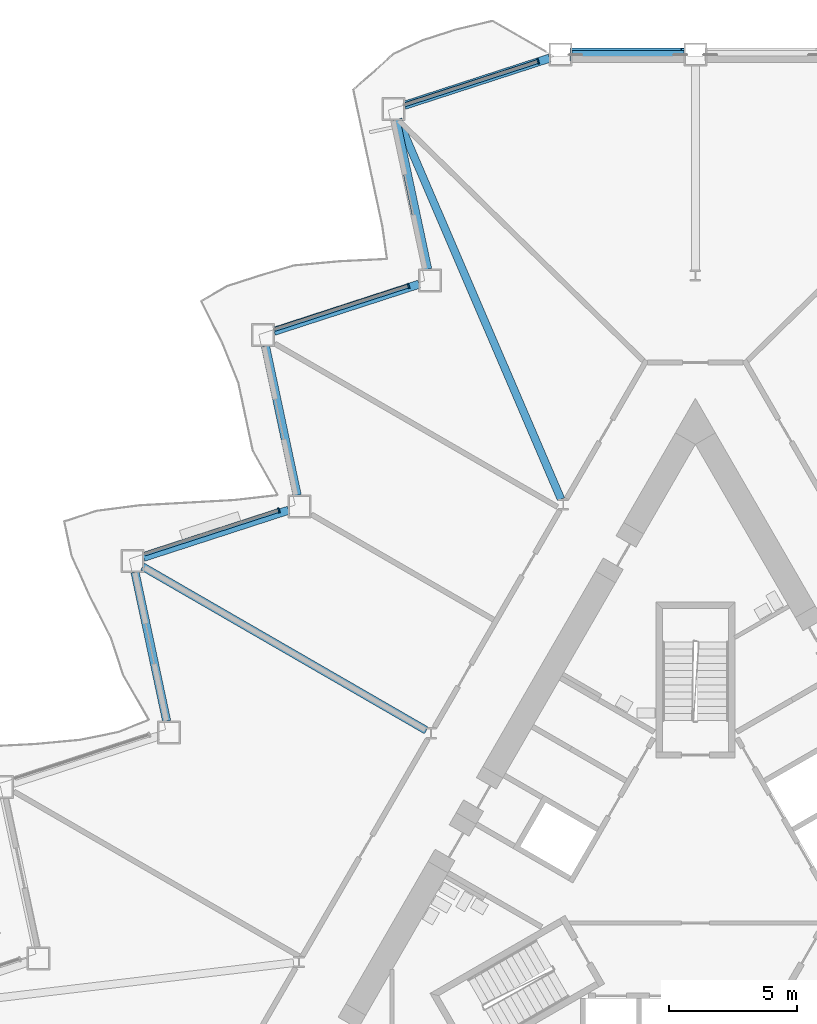
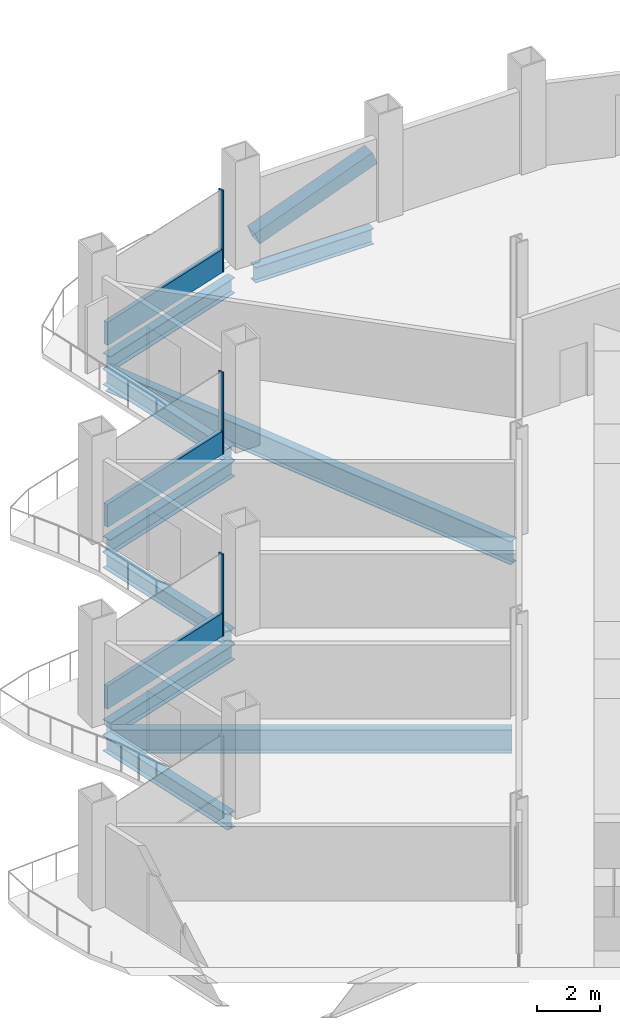
# One storey, part 7 of 21: 9 beams, 7 members, 3 elements without a shape of their own.
"""IFC4 building model written with IfcOpenShell, lengths in metres."""

import ifcopenshell
import ifcopenshell.guid

model = None  # the IFC model being written
_history = None  # IfcOwnerHistory: only IFC2X3 demands one
_inside = {}  # id of a spatial element -> (the spatial element, [elements in it])
_under = {}  # id of a project, library or spatial element -> (it, [spatial elements below it])
_declared = {}  # id of a project -> (the project, [libraries it declares])
_typed = {}  # id of a type object -> (the type object, [elements of that type])
_made_of = {}  # id of a material, layer set ... -> (it, [elements and type objects made of it])


def new_model(schema):
    """Start an empty IFC model of exactly this schema.

    Asked for "IFC4X3", IfcOpenShell would pick the latest addendum, in which some entities
    have other attributes; the version numbers below select the first issue.
    IFC2X3 requires an IfcOwnerHistory on every rooted entity: one is made here for all.
    """
    global model, _history
    if schema == "IFC4X3":
        model = ifcopenshell.file(schema_version=(4, 3, 0, 0))
    else:
        model = ifcopenshell.file(schema=schema)
    _inside.clear()
    _under.clear()
    _declared.clear()
    _typed.clear()
    _made_of.clear()
    _history = None
    if model.schema == "IFC2X3":
        org = make("IfcOrganization", Name="unknown")
        user = make(
            "IfcPersonAndOrganization",
            ThePerson=make("IfcPerson", FamilyName="unknown"),
            TheOrganization=org,
        )
        app = make(
            "IfcApplication",
            ApplicationDeveloper=org,
            Version="unknown",
            ApplicationFullName="unknown",
            ApplicationIdentifier="unknown",
        )
        _history = make(
            "IfcOwnerHistory",
            OwningUser=user,
            OwningApplication=app,
            ChangeAction="ADDED",
            CreationDate=0,
        )
    return model


def make(cls, **values):
    """One entity of the class cls with the attributes given. An attribute that is None is left unset."""
    return model.create_entity(
        cls, **{name: value for name, value in values.items() if value is not None}
    )


def rooted(cls, **values):
    """An entity with a GlobalId (a new one), such as an element, a storey or a relation."""
    return make(cls, GlobalId=ifcopenshell.guid.new(), OwnerHistory=_history, **values)


def si_unit(unit_type, name, prefix=None):
    """IfcSIUnit, for example si_unit("LENGTHUNIT", "METRE", prefix="MILLI")."""
    return make("IfcSIUnit", UnitType=unit_type, Prefix=prefix, Name=name)


def assignment(units):
    """IfcUnitAssignment: the units of a project."""
    return None if units is None else make("IfcUnitAssignment", Units=units)


def point(xyz):
    """IfcCartesianPoint."""
    return None if xyz is None else make("IfcCartesianPoint", Coordinates=xyz)


def direction(xyz):
    """IfcDirection."""
    return None if xyz is None else make("IfcDirection", DirectionRatios=xyz)


def frame(location, z_axis=None, x_axis=None):
    """IfcAxis2Placement3D, a coordinate frame: its origin and axes. An axis left out is left unset."""
    return make(
        "IfcAxis2Placement3D",
        Location=point(location),
        Axis=direction(z_axis),
        RefDirection=direction(x_axis),
    )


def frame_2d(location, x_axis=None):
    """IfcAxis2Placement2D, a coordinate frame in the plane: its origin and x axis."""
    return make(
        "IfcAxis2Placement2D", Location=point(location), RefDirection=direction(x_axis)
    )


def origin():
    """The frame at (0, 0, 0) with its axes left unset."""
    return frame((0.0, 0.0, 0.0))


def origin_2d():
    """The frame at (0, 0) in the plane with its x axis left unset."""
    return frame_2d((0.0, 0.0))


def place(relative_to, where):
    """IfcLocalPlacement: puts the frame where relative to a parent placement (None: the world)."""
    return make(
        "IfcLocalPlacement", PlacementRelTo=relative_to, RelativePlacement=where
    )


def context(
    kind, dimensions, precision=None, world=None, true_north=None, identifier=None
):
    """IfcGeometricRepresentationContext, for example the 3D "Model" context."""
    return make(
        "IfcGeometricRepresentationContext",
        ContextIdentifier=identifier,
        ContextType=kind,
        CoordinateSpaceDimension=dimensions,
        Precision=precision,
        WorldCoordinateSystem=world,
        TrueNorth=true_north,
    )


def subcontext(parent, identifier, kind, view, scale=None):
    """IfcGeometricRepresentationSubContext, for example "Body" below "Model"."""
    return make(
        "IfcGeometricRepresentationSubContext",
        ContextIdentifier=identifier,
        ContextType=kind,
        ParentContext=parent,
        TargetScale=scale,
        TargetView=view,
    )


def project(units=None, contexts=None):
    """IfcProject with its units and contexts."""
    return rooted(
        "IfcProject",
        Name="project",
        RepresentationContexts=contexts,
        UnitsInContext=assignment(units),
    )


def spatial(cls, under=None, at=None, **own):
    """A site, building, storey or space (cls), placed at a placement, below another one or the project."""
    s = rooted(cls, ObjectPlacement=at, **own)
    if under is not None:
        _under.setdefault(under.id(), (under, []))[1].append(s)
    return s


def profile(cls, at=None, kind="AREA", **sizes):
    """A parametric profile (cls). Its sizes go by their IFC names, for example OverallWidth=200.0."""
    return make(cls, ProfileType=kind, Position=at, **sizes)


def rectangle(**sizes):
    """IfcRectangleProfileDef."""
    return profile("IfcRectangleProfileDef", **sizes)


def hollow_rectangle(**sizes):
    """IfcRectangleHollowProfileDef."""
    return profile("IfcRectangleHollowProfileDef", **sizes)


def i_section(**sizes):
    """IfcIShapeProfileDef."""
    return profile("IfcIShapeProfileDef", **sizes)


def extrude(swept, where, along, depth):
    """IfcExtrudedAreaSolid: the profile swept, set in the frame where, extruded along a direction by depth."""
    return make(
        "IfcExtrudedAreaSolid",
        SweptArea=swept,
        Position=where,
        ExtrudedDirection=direction(along),
        Depth=depth,
    )


def shape(context_of_items, identifier, shape_type, items):
    """IfcShapeRepresentation: the items that make up one representation, for example the "Body"."""
    return make(
        "IfcShapeRepresentation",
        ContextOfItems=context_of_items,
        RepresentationIdentifier=identifier,
        RepresentationType=shape_type,
        Items=items,
    )


def material(Name=None, Category=None):
    """IfcMaterial."""
    return make("IfcMaterial", Name=Name, Category=Category)


def layer(
    of_material, thickness, ventilated=None, Name=None, Category=None, Priority=None
):
    """IfcMaterialLayer: one layer of a wall or slab, of a material (None: an air gap)."""
    return make(
        "IfcMaterialLayer",
        Material=of_material,
        LayerThickness=thickness,
        IsVentilated=ventilated,
        Name=Name,
        Category=Category,
        Priority=Priority,
    )


def layer_set(layers, Name=None):
    """IfcMaterialLayerSet."""
    return make("IfcMaterialLayerSet", MaterialLayers=layers, LayerSetName=Name)


def material_profile(
    of_material, cross_section, Name=None, Category=None, Priority=None
):
    """IfcMaterialProfile: a cross section and its material."""
    return make(
        "IfcMaterialProfile",
        Name=Name,
        Material=of_material,
        Profile=cross_section,
        Priority=Priority,
        Category=Category,
    )


def profile_set(profiles, Name=None, composite=None):
    """IfcMaterialProfileSet."""
    return make(
        "IfcMaterialProfileSet",
        Name=Name,
        MaterialProfiles=profiles,
        CompositeProfile=composite,
    )


def made_of(thing, what):
    """Note that an element or type object is made of a material, layer set ...; save() writes the relation."""
    if what is not None:
        _made_of.setdefault(what.id(), (what, []))[1].append(thing)
    return thing


def type_object(cls, material=None, **own):
    """A type object (cls), such as IfcWallType, which elements share."""
    return made_of(rooted(cls, **own), material)


def element(
    cls,
    number,
    at=None,
    inside=None,
    cuts=None,
    type_object=None,
    material=None,
    context=None,
    identifier="Body",
    shape_type=None,
    held_by="IfcProductDefinitionShape",
    body=None,
    shapes=None,
    **own,
):
    """One element of the class cls, such as IfcWall. Its Tag is "e" and its number.

    at: its placement. inside: the storey or other place that contains it. cuts: it is an
    opening in that element (IfcRelVoidsElement). A single representation is given by context,
    identifier, shape_type and body (its items); several are given by shapes. held_by: the class
    of the entity that holds the representations. save() writes the other relations.
    """
    e = rooted(cls, Tag="e%d" % number, ObjectPlacement=at, **own)
    if body is not None:
        shapes = [shape(context, identifier, shape_type, body)]
    if shapes is not None:
        e.Representation = make(held_by, Representations=shapes)
    if inside is not None:
        _inside.setdefault(inside.id(), (inside, []))[1].append(e)
    if cuts is not None:
        rooted(
            "IfcRelVoidsElement", RelatingBuildingElement=cuts, RelatedOpeningElement=e
        )
    if type_object is not None:
        _typed.setdefault(type_object.id(), (type_object, []))[1].append(e)
    return made_of(e, material)


def aggregate(whole, parts):
    """IfcRelAggregates: a whole, such as a stair, and the parts it consists of."""
    return rooted("IfcRelAggregates", RelatingObject=whole, RelatedObjects=parts)


def save(model, path):
    """Write the relations noted so far, then the file.

    IfcRelAggregates (storeys below a building ...), IfcRelContainedInSpatialStructure (elements
    in a storey), IfcRelDefinesByType, IfcRelAssociatesMaterial and IfcRelDeclares: one each for
    every whole, place, type object, material and project.
    """
    for whole, parts in _under.values():
        aggregate(whole, parts)
    for where, things in _inside.values():
        rooted(
            "IfcRelContainedInSpatialStructure",
            RelatedElements=things,
            RelatingStructure=where,
        )
    for kind, things in _typed.values():
        rooted("IfcRelDefinesByType", RelatedObjects=things, RelatingType=kind)
    for what, things in _made_of.values():
        rooted("IfcRelAssociatesMaterial", RelatedObjects=things, RelatingMaterial=what)
    for by, libraries in _declared.values():
        rooted("IfcRelDeclares", RelatingContext=by, RelatedDefinitions=libraries)
    model.write(path)


model = new_model("IFC4")

# Units and contexts
model_context = context("Model", 3, precision=1e-05, world=origin(), true_north=direction((0.0, 1.0)))
body_context = subcontext(model_context, "Body", "Model", "MODEL_VIEW")
ifc_project = project(units=[si_unit("LENGTHUNIT", "METRE"), si_unit("AREAUNIT", "SQUARE_METRE"), si_unit("VOLUMEUNIT", "CUBIC_METRE"), si_unit("PLANEANGLEUNIT", "RADIAN"), si_unit("MASSUNIT", "GRAM", prefix="KILO")], contexts=[model_context])

# Site, building, storey
site_placement = place(None, origin())
site = spatial("IfcSite", under=ifc_project, at=site_placement, CompositionType="ELEMENT")
building_placement = place(site_placement, origin())
building = spatial("IfcBuilding", under=site, at=building_placement, Name="Cormorant Prow Tower", CompositionType="ELEMENT")
storey_placement = place(building_placement, frame((0.0, 0.0, 141.60009765625)))
storey = spatial("IfcBuildingStorey", under=building, at=storey_placement, Name="L30", CompositionType="ELEMENT", Elevation=141.60009765625)

# Member
ifc_material_1 = material(Name="Structural steel ASTM A500 Gr C", Category="steel")
ifc_material_profile_1 = material_profile(ifc_material_1, hollow_rectangle(XDim=0.508056640625, YDim=0.508056640625, WallThickness=0.014892578125, at=origin_2d()), Name="HSS20x20x5/8")
ifc_profile_set_1 = profile_set([ifc_material_profile_1], Name="Structural steel ASTM A500 Gr C")
member_type_1 = type_object("IfcMemberType", Name="Chamfer brace HSS20x20x5/8", PredefinedType="BRACE", material=ifc_profile_set_1)
member_1_placement = place(storey_placement, frame((-4.8017578125, 32.487060546875, 0.7763671875), z_axis=(0.935564597435, 0.0, 0.3531556088), x_axis=(0.0, 1.0, 0.0)))
element("IfcMember", 1, at=member_1_placement, inside=storey, type_object=member_type_1, Name="Chamfer brace BR1 at N01 L30", PredefinedType="BRACE", context=body_context, shape_type="SweptSolid", body=[
    extrude(hollow_rectangle(XDim=0.508056640625, YDim=0.508056640625, WallThickness=0.014892578125, at=origin_2d()), origin(), (0.0, 0.0, 1.0), 4.632568359375),
])

# Curtain wall, member
ifc_material_2 = material(Name="Aluminium 6063-T6", Category="aluminium")
ifc_layer = layer(ifc_material_2, 0.199951171875)
ifc_layer_set = layer_set([ifc_layer], Name="Aluminium 6063-T6")
curtain_wall_type = type_object("IfcCurtainWallType", Name="Office unitised curtain wall 200", PredefinedType="NOTDEFINED", material=ifc_layer_set)
curtain_wall_1_placement = place(storey_placement, origin())
curtain_wall_1 = element("IfcCurtainWall", 2, at=curtain_wall_1_placement, inside=storey, type_object=curtain_wall_type, Name="Office curtain wall WNW00", PredefinedType="NOTDEFINED")
ifc_material_3 = material(Name="Aluminium 6063-T6", Category="aluminium")
ifc_material_profile_2 = material_profile(ifc_material_3, rectangle(XDim=0.199951171875, YDim=0.06005859375, at=origin_2d()), Name="Office mullion 60x200")
ifc_profile_set_2 = profile_set([ifc_material_profile_2], Name="Aluminium 6063-T6")
member_type_2 = type_object("IfcMemberType", Name="Office mullion 60x200", PredefinedType="MULLION", material=ifc_profile_set_2)
member_2_placement = place(storey_placement, frame((-6.148193359375, 32.21826171875, 0.0), z_axis=(0.0, 0.0, 1.0), x_axis=(0.3090170088, -0.951056511608, 0.0)))
member_2 = element("IfcMember", 3, at=member_2_placement, type_object=member_type_2, Name="Office mullion WNW00", PredefinedType="MULLION", context=body_context, shape_type="SweptSolid", body=[
    extrude(rectangle(XDim=0.199951171875, YDim=0.06005859375, at=origin_2d()), origin(), (0.0, 0.0, 1.0), 3.188720703125),
])

curtain_wall_2_placement = place(storey_placement, origin())
curtain_wall_2 = element("IfcCurtainWall", 4, at=curtain_wall_2_placement, inside=storey, type_object=curtain_wall_type, Name="Office curtain wall WNW02", PredefinedType="NOTDEFINED")
member_3_placement = place(storey_placement, frame((-11.212890625, 23.4462890625, 0.0), z_axis=(0.0, 0.0, 1.0), x_axis=(0.3090170088, -0.951056511608, 0.0)))
member_3 = element("IfcMember", 5, at=member_3_placement, type_object=member_type_2, Name="Office mullion WNW02", PredefinedType="MULLION", context=body_context, shape_type="SweptSolid", body=[
    extrude(rectangle(XDim=0.199951171875, YDim=0.06005859375, at=origin_2d()), origin(), (0.0, 0.0, 1.0), 3.188720703125),
])

curtain_wall_3_placement = place(storey_placement, origin())
curtain_wall_3 = element("IfcCurtainWall", 6, at=curtain_wall_3_placement, inside=storey, type_object=curtain_wall_type, Name="Office curtain wall WNW04", PredefinedType="NOTDEFINED")
member_4_placement = place(storey_placement, frame((-16.27734375, 14.67431640625, 0.0), z_axis=(0.0, 0.0, 1.0), x_axis=(0.3090170088, -0.951056511608, 0.0)))
member_4 = element("IfcMember", 7, at=member_4_placement, type_object=member_type_2, Name="Office mullion WNW04", PredefinedType="MULLION", context=body_context, shape_type="SweptSolid", body=[
    extrude(rectangle(XDim=0.199951171875, YDim=0.06005859375, at=origin_2d()), origin(), (0.0, 0.0, 1.0), 3.188720703125),
])

# Member
ifc_material_4 = material(Name="Terracotta", Category="masonry")
ifc_material_profile_3 = material_profile(ifc_material_4, rectangle(XDim=0.159912109375, YDim=0.89990234375, at=origin_2d()), Name="Office terracotta spandrel rail 160x900")
ifc_profile_set_3 = profile_set([ifc_material_profile_3], Name="Terracotta")
member_type_3 = type_object("IfcMemberType", Name="Office terracotta spandrel rail 160x900", PredefinedType="USERDEFINED", material=ifc_profile_set_3)
member_5_placement = place(storey_placement, frame((-6.1767578125, 32.208984375, 0.449951171875), z_axis=(-0.951055990121, -0.309018613767, 0.0), x_axis=(0.309018613767, -0.951055990121, 0.0)))
member_5 = element("IfcMember", 8, at=member_5_placement, type_object=member_type_3, Name="Office spandrel rail WNW00", ObjectType="TRANSOM", PredefinedType="USERDEFINED", context=body_context, shape_type="SweptSolid", body=[
    extrude(rectangle(XDim=0.159912109375, YDim=0.89990234375, at=origin_2d()), origin(), (0.0, 0.0, 1.0), 5.48291015625),
])

aggregate(curtain_wall_1, [member_2, member_5])

member_6_placement = place(storey_placement, frame((-11.2412109375, 23.43701171875, 0.449951171875), z_axis=(-0.951060241863, -0.309005528021, 0.0), x_axis=(0.309005528021, -0.951060241863, 0.0)))
member_6 = element("IfcMember", 9, at=member_6_placement, type_object=member_type_3, Name="Office spandrel rail WNW02", ObjectType="TRANSOM", PredefinedType="USERDEFINED", context=body_context, shape_type="SweptSolid", body=[
    extrude(rectangle(XDim=0.159912109375, YDim=0.89990234375, at=origin_2d()), origin(), (0.0, 0.0, 1.0), 5.483154296875),
])

aggregate(curtain_wall_2, [member_3, member_6])

member_7_placement = place(storey_placement, frame((-16.305908203125, 14.6650390625, 0.449951171875), z_axis=(-0.951055990121, -0.309018613767, 0.0), x_axis=(0.309018613767, -0.951055990121, 0.0)))
member_7 = element("IfcMember", 10, at=member_7_placement, type_object=member_type_3, Name="Office spandrel rail WNW04", ObjectType="TRANSOM", PredefinedType="USERDEFINED", context=body_context, shape_type="SweptSolid", body=[
    extrude(rectangle(XDim=0.159912109375, YDim=0.89990234375, at=origin_2d()), origin(), (0.0, 0.0, 1.0), 5.48291015625),
])

aggregate(curtain_wall_3, [member_4, member_7])

# Beams
ifc_material_5 = material(Name="Structural steel ASTM A992 Gr 50", Category="steel")
ifc_material_profile_4 = material_profile(ifc_material_5, i_section(OverallWidth=0.3046875, OverallDepth=0.914794921875, WebThickness=0.0166015625, FlangeThickness=0.02587890625, at=origin_2d()), Name="W36x160")
ifc_profile_set_4 = profile_set([ifc_material_profile_4], Name="Structural steel ASTM A992 Gr 50")
beam_type_1 = type_object("IfcBeamType", Name="Radial floor beam W36x160", PredefinedType="BEAM", material=ifc_profile_set_4)
beam_1_placement = place(storey_placement, frame((-5.25, 15.107666015625, -0.857421875), z_axis=(-0.394273140268, 0.918993302948, 0.0), x_axis=(-0.918993302948, -0.394273140268, 0.0)))
element("IfcBeam", 11, at=beam_1_placement, inside=storey, type_object=beam_type_1, Name="Radial floor beam FB1 2 L30", PredefinedType="BEAM", context=body_context, shape_type="SweptSolid", body=[
    extrude(i_section(OverallWidth=0.3046875, OverallDepth=0.914794921875, WebThickness=0.0166015625, FlangeThickness=0.02587890625, at=origin_2d()), origin(), (0.0, 0.0, 1.0), 16.153564453125),
])
beam_2_placement = place(storey_placement, frame((-10.516845703125, 6.07177734375, -0.857421875), z_axis=(-0.866021760006, 0.500006311156, 0.0), x_axis=(-0.500006311156, -0.866021760006, 0.0)))
element("IfcBeam", 12, at=beam_2_placement, inside=storey, type_object=beam_type_1, Name="Radial floor beam FB1 3 L30", PredefinedType="BEAM", context=body_context, shape_type="SweptSolid", body=[
    extrude(i_section(OverallWidth=0.3046875, OverallDepth=0.914794921875, WebThickness=0.0166015625, FlangeThickness=0.02587890625, at=origin_2d()), origin(), (0.0, 0.0, 1.0), 12.805419921875),
])
ifc_material_6 = material(Name="Structural steel ASTM A992 Gr 50", Category="steel")
ifc_material_profile_5 = material_profile(ifc_material_6, i_section(OverallWidth=0.32373046875, OverallDepth=0.611083984375, WebThickness=0.0126953125, FlangeThickness=0.01904296875, at=origin_2d()), Name="W24x104")
ifc_profile_set_5 = profile_set([ifc_material_profile_5], Name="Structural steel ASTM A992 Gr 50")
beam_type_2 = type_object("IfcBeamType", Name="Spandrel beam W24x104", PredefinedType="SPANDREL", material=ifc_profile_set_5)
beam_3_placement = place(storey_placement, frame((-0.449951171875, 32.487060546875, -0.70556640625), z_axis=(-1.0, 0.0, 0.0), x_axis=(0.0, -1.0, 0.0)))
element("IfcBeam", 13, at=beam_3_placement, inside=storey, type_object=beam_type_2, Name="Spandrel beam SB1 N01-WNW00 L30", PredefinedType="SPANDREL", context=body_context, shape_type="SweptSolid", body=[
    extrude(i_section(OverallWidth=0.32373046875, OverallDepth=0.611083984375, WebThickness=0.0126953125, FlangeThickness=0.01904296875, at=origin_2d()), origin(), (0.0, 0.0, 1.0), 4.36962890625),
])
beam_4_placement = place(storey_placement, frame((-5.69775390625, 32.347900390625, -0.70556640625), z_axis=(-0.951055430656, -0.309020335608, 0.0), x_axis=(0.309020335608, -0.951055430656, 0.0)))
element("IfcBeam", 14, at=beam_4_placement, inside=storey, type_object=beam_type_2, Name="Spandrel beam SB1 WNW00-WNW01 L30", PredefinedType="SPANDREL", context=body_context, shape_type="SweptSolid", body=[
    extrude(i_section(OverallWidth=0.32373046875, OverallDepth=0.611083984375, WebThickness=0.0126953125, FlangeThickness=0.01904296875, at=origin_2d()), origin(), (0.0, 0.0, 1.0), 5.96240234375),
])
beam_5_placement = place(storey_placement, frame((-11.702880859375, 29.926025390625, -0.70556640625), z_axis=(0.207920947907, -0.978145633033, 0.0), x_axis=(0.978145633033, 0.207920947907, 0.0)))
element("IfcBeam", 15, at=beam_5_placement, inside=storey, type_object=beam_type_2, Name="Spandrel beam SB1 WNW01-WNW02 L30", PredefinedType="SPANDREL", context=body_context, shape_type="SweptSolid", body=[
    extrude(i_section(OverallWidth=0.32373046875, OverallDepth=0.611083984375, WebThickness=0.0126953125, FlangeThickness=0.01904296875, at=origin_2d()), origin(), (0.0, 0.0, 1.0), 5.962646484375),
])
beam_6_placement = place(storey_placement, frame((-10.797607421875, 23.5146484375, -0.70556640625), z_axis=(-0.95104730696, -0.309045336358, 0.0), x_axis=(0.309045336358, -0.95104730696, 0.0)))
element("IfcBeam", 16, at=beam_6_placement, inside=storey, type_object=beam_type_2, Name="Spandrel beam SB1 WNW02-WNW03 L30", PredefinedType="SPANDREL", context=body_context, shape_type="SweptSolid", body=[
    extrude(i_section(OverallWidth=0.32373046875, OverallDepth=0.611083984375, WebThickness=0.0126953125, FlangeThickness=0.01904296875, at=origin_2d()), origin(), (0.0, 0.0, 1.0), 5.962890625),
])
for number, where, z_axis, x_axis, name in (
    (17, (-16.802734375, 21.0927734375, -0.70556640625), (0.207920947907, -0.978145633033, 0.0), (0.978145633033, 0.207920947907, 0.0), "Spandrel beam SB1 WNW03-WNW04 L30"),
    (18, (-15.8974609375, 14.68115234375, -0.70556640625), (-0.951059340519, -0.309008302174, 0.0), (0.309008302174, -0.951059340519, 0.0), "Spandrel beam SB1 WNW04-WNW05 L30"),
):
    element("IfcBeam", number, at=place(storey_placement, frame(where, z_axis=z_axis, x_axis=x_axis)), inside=storey, type_object=beam_type_2, Name=name, PredefinedType="SPANDREL", context=body_context, shape_type="SweptSolid", body=[
        extrude(i_section(OverallWidth=0.32373046875, OverallDepth=0.611083984375, WebThickness=0.0126953125, FlangeThickness=0.01904296875, at=origin_2d()), origin(), (0.0, 0.0, 1.0), 5.962646484375),
    ])
beam_7_placement = place(storey_placement, frame((-21.90283203125, 12.259521484375, -0.70556640625), z_axis=(0.207912620873, -0.978147403044, 0.0), x_axis=(0.978147403044, 0.207912620873, 0.0)))
element("IfcBeam", 19, at=beam_7_placement, inside=storey, type_object=beam_type_2, Name="Spandrel beam SB1 WNW05-WNW06 L30", PredefinedType="SPANDREL", context=body_context, shape_type="SweptSolid", body=[
    extrude(i_section(OverallWidth=0.32373046875, OverallDepth=0.611083984375, WebThickness=0.0126953125, FlangeThickness=0.01904296875, at=origin_2d()), origin(), (0.0, 0.0, 1.0), 5.962890625),
])

save(model, "model.ifc")
